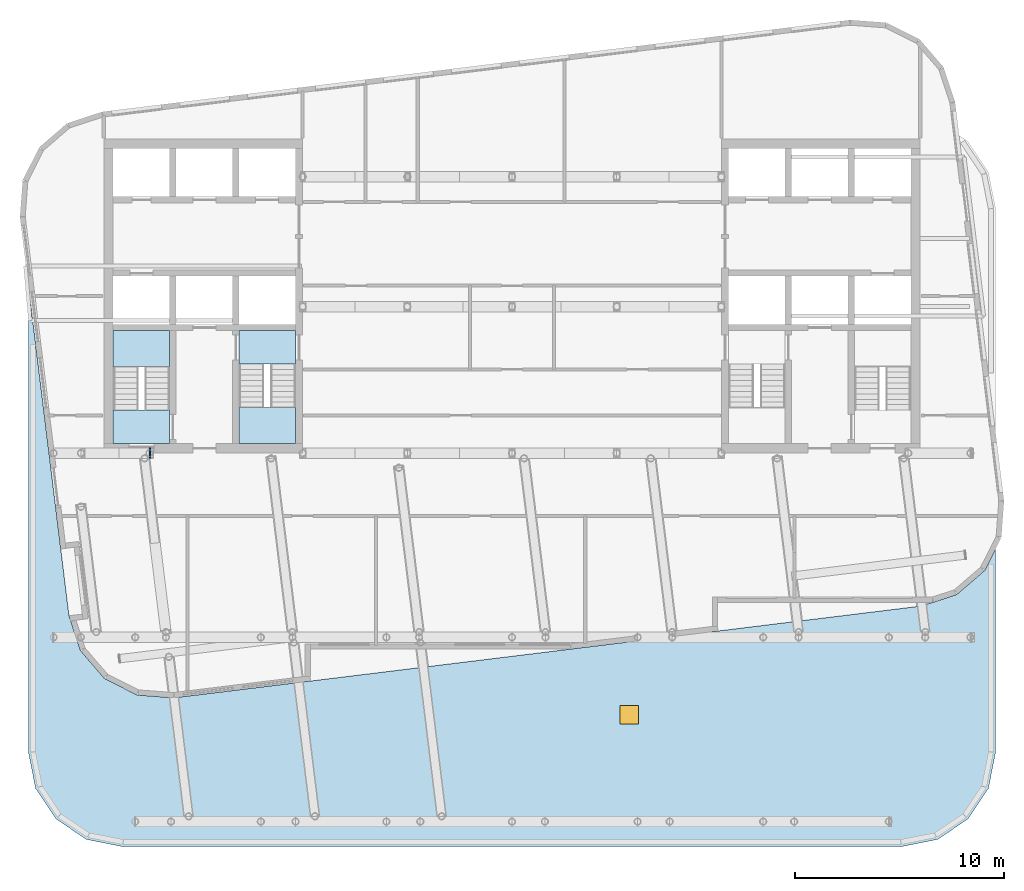
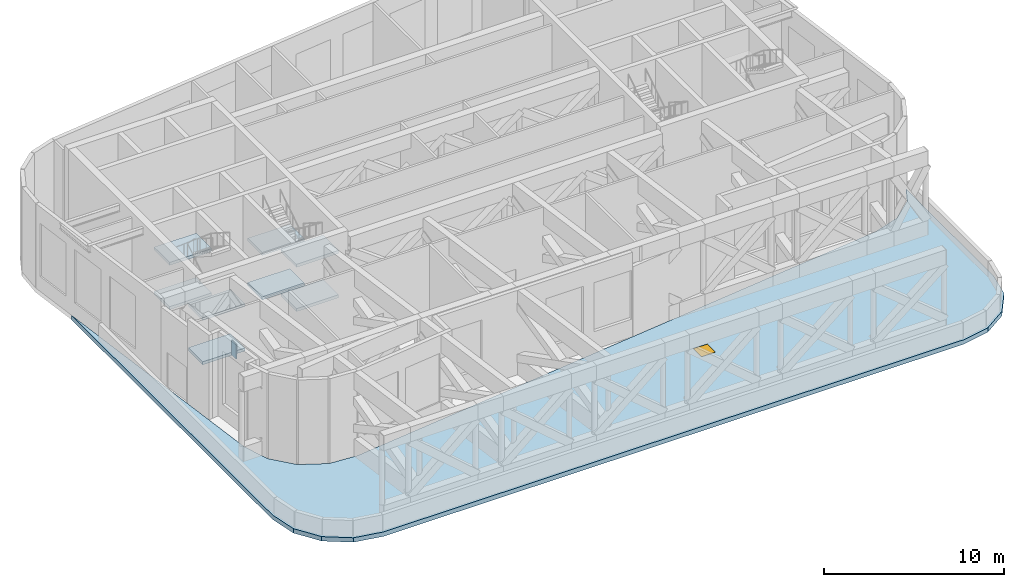
# One storey, part 6 of 16: 9 slabs, 1 plate, 1 window, 1 opening, 2 elements without a shape of their own.
"""IFC4 building model written with IfcOpenShell, lengths in metres."""

from ifc_helpers import new_model, si_unit, direction, frame, origin, origin_2d, place, context, subcontext, project, spatial, polyline, rectangle, outline, extrude, material, layer, layer_set, type_object, element, fill, aggregate, save


model = new_model("IFC4")

# Units and contexts
model_context = context("Model", 3, precision=1e-05, world=origin(), true_north=direction((0.0, 1.0)))
body_context = subcontext(model_context, "Body", "Model", "MODEL_VIEW")
ifc_project = project(units=[si_unit("LENGTHUNIT", "METRE"), si_unit("AREAUNIT", "SQUARE_METRE"), si_unit("VOLUMEUNIT", "CUBIC_METRE"), si_unit("PLANEANGLEUNIT", "RADIAN"), si_unit("MASSUNIT", "GRAM", prefix="KILO")], contexts=[model_context])

# Site, building, storey
site_placement = place(None, origin())
site = spatial("IfcSite", under=ifc_project, at=site_placement, CompositionType="ELEMENT")
building_placement = place(site_placement, origin())
building = spatial("IfcBuilding", under=site, at=building_placement, Name="Torana Hotel and Residences", CompositionType="ELEMENT")
storey_placement = place(building_placement, frame((0.0, 0.0, 308.60009765625)))
storey = spatial("IfcBuildingStorey", under=building, at=storey_placement, Name="L82", CompositionType="ELEMENT", Elevation=308.60009765625)

# Stair, slabs
ifc_material_1 = material(Name="Concrete C40/50 precast", Category="concrete")
stair_type_1 = type_object("IfcStairType", Name="STAIR ST1 HALF TURN 1200", PredefinedType="HALF_TURN_STAIR", material=ifc_material_1)
stair_1_placement = place(storey_placement, origin())
stair_1 = element("IfcStair", 1, at=stair_1_placement, inside=storey, type_object=stair_type_1, Name="Stair ST1 L82", PredefinedType="HALF_TURN_STAIR")
ifc_material_2 = material(Name="Concrete C40/50 precast", Category="concrete")
ifc_layer_1 = layer(ifc_material_2, 0.199951171875)
ifc_layer_set_1 = layer_set([ifc_layer_1], Name="STAIR LANDING 200")
slab_type_1 = type_object("IfcSlabType", Name="STAIR LANDING 200", PredefinedType="LANDING", material=ifc_layer_set_1)
slab_1_placement = place(storey_placement, frame((0.0, 0.0, 1.2998046875)))
slab_1 = element("IfcSlab", 2, at=slab_1_placement, type_object=slab_type_1, Name="ST1 landing 1", PredefinedType="LANDING", context=body_context, shape_type="SweptSolid", body=[
    extrude(outline(polyline([(-13.050048828125, -14.550048828125), (-10.35009765625, -14.550048828125), (-10.35009765625, -12.830078125), (-13.050048828125, -12.830078125), (-13.050048828125, -14.550048828125)])), origin(), (0.0, 0.0, 1.0), 0.2001953125),
])
slab_2_placement = place(storey_placement, frame((0.0, 0.0, -0.2001953125)))
slab_2 = element("IfcSlab", 3, at=slab_2_placement, type_object=slab_type_1, Name="ST1 landing 2", PredefinedType="LANDING", context=body_context, shape_type="SweptSolid", body=[
    extrude(outline(polyline([(-13.050048828125, -10.75), (-10.35009765625, -10.75), (-10.35009765625, -9.14990234375), (-13.050048828125, -9.14990234375), (-13.050048828125, -10.75)])), origin(), (0.0, 0.0, 1.0), 0.2001953125),
])
slab_3_placement = place(storey_placement, frame((0.0, 0.0, 4.2998046875)))
slab_3 = element("IfcSlab", 4, at=slab_3_placement, type_object=slab_type_1, Name="ST1 landing 3", PredefinedType="LANDING", context=body_context, shape_type="SweptSolid", body=[
    extrude(outline(polyline([(-13.050048828125, -14.550048828125), (-10.35009765625, -14.550048828125), (-10.35009765625, -12.830078125), (-13.050048828125, -12.830078125), (-13.050048828125, -14.550048828125)])), origin(), (0.0, 0.0, 1.0), 0.2001953125),
])
slab_4_placement = place(storey_placement, frame((0.0, 0.0, 2.7998046875)))
slab_4 = element("IfcSlab", 5, at=slab_4_placement, type_object=slab_type_1, Name="ST1 landing 4", PredefinedType="LANDING", context=body_context, shape_type="SweptSolid", body=[
    extrude(outline(polyline([(-13.050048828125, -10.75), (-10.35009765625, -10.75), (-10.35009765625, -9.14990234375), (-13.050048828125, -9.14990234375), (-13.050048828125, -10.75)])), origin(), (0.0, 0.0, 1.0), 0.2001953125),
])
aggregate(stair_1, [slab_1, slab_2, slab_3, slab_4])

ifc_material_3 = material(Name="Concrete C40/50 precast", Category="concrete")
stair_type_2 = type_object("IfcStairType", Name="STAIR ST2 HALF TURN 1200", PredefinedType="HALF_TURN_STAIR", material=ifc_material_3)
stair_2_placement = place(storey_placement, origin())
stair_2 = element("IfcStair", 6, at=stair_2_placement, inside=storey, type_object=stair_type_2, Name="Stair ST2 L82", PredefinedType="HALF_TURN_STAIR")
slab_5_placement = place(storey_placement, frame((0.0, 0.0, 1.2998046875)))
slab_5 = element("IfcSlab", 7, at=slab_5_placement, type_object=slab_type_1, Name="ST2 landing 1", PredefinedType="LANDING", context=body_context, shape_type="SweptSolid", body=[
    extrude(outline(polyline([(-19.050048828125, -10.8701171875), (-16.35009765625, -10.8701171875), (-16.35009765625, -9.14990234375), (-19.050048828125, -9.14990234375), (-19.050048828125, -10.8701171875)])), origin(), (0.0, 0.0, 1.0), 0.2001953125),
])
slab_6_placement = place(storey_placement, frame((0.0, 0.0, -0.2001953125)))
slab_6 = element("IfcSlab", 8, at=slab_6_placement, type_object=slab_type_1, Name="ST2 landing 2", PredefinedType="LANDING", context=body_context, shape_type="SweptSolid", body=[
    extrude(outline(polyline([(-19.050048828125, -14.550048828125), (-16.35009765625, -14.550048828125), (-16.35009765625, -12.949951171875), (-19.050048828125, -12.949951171875), (-19.050048828125, -14.550048828125)])), origin(), (0.0, 0.0, 1.0), 0.2001953125),
])
slab_7_placement = place(storey_placement, frame((0.0, 0.0, 4.2998046875)))
slab_7 = element("IfcSlab", 9, at=slab_7_placement, type_object=slab_type_1, Name="ST2 landing 3", PredefinedType="LANDING", context=body_context, shape_type="SweptSolid", body=[
    extrude(outline(polyline([(-19.050048828125, -10.8701171875), (-16.35009765625, -10.8701171875), (-16.35009765625, -9.14990234375), (-19.050048828125, -9.14990234375), (-19.050048828125, -10.8701171875)])), origin(), (0.0, 0.0, 1.0), 0.2001953125),
])
slab_8_placement = place(storey_placement, frame((0.0, 0.0, 2.7998046875)))
slab_8 = element("IfcSlab", 10, at=slab_8_placement, type_object=slab_type_1, Name="ST2 landing 4", PredefinedType="LANDING", context=body_context, shape_type="SweptSolid", body=[
    extrude(outline(polyline([(-19.050048828125, -14.550048828125), (-16.35009765625, -14.550048828125), (-16.35009765625, -12.949951171875), (-19.050048828125, -12.949951171875), (-19.050048828125, -14.550048828125)])), origin(), (0.0, 0.0, 1.0), 0.2001953125),
])
aggregate(stair_2, [slab_5, slab_6, slab_7, slab_8])

# Plate
ifc_material_4 = material(Name="Steel S355", Category="steel")
ifc_layer_2 = layer(ifc_material_4, 0.050048828125)
ifc_layer_set_2 = layer_set([ifc_layer_2], Name="STEEL END PLATE 50")
plate_type = type_object("IfcPlateType", Name="STEEL END PLATE 50", PredefinedType="SHEET", material=ifc_layer_set_2)
plate_placement = place(storey_placement, frame((-17.2919921875, -15.0, 0.0), z_axis=(0.0, 0.0, 1.0), x_axis=(1.0, 0.0, 0.0)))
element("IfcPlate", 11, at=plate_placement, inside=storey, type_object=plate_type, Name="End plate L82", PredefinedType="SHEET", context=body_context, shape_type="SweptSolid", body=[
    extrude(rectangle(XDim=0.050048828125, YDim=0.5, at=origin_2d()), origin(), (0.0, 0.0, 1.0), 1.0),
])

# Slab, opening, window
ifc_material_5 = material(Name="Concrete C40/50", Category="concrete")
ifc_layer_3 = layer(ifc_material_5, 0.300048828125)
ifc_layer_set_3 = layer_set([ifc_layer_3], Name="TR1 TERRACE SLAB 300")
slab_type_2 = type_object("IfcSlabType", Name="TR1 TERRACE SLAB 300", PredefinedType="USERDEFINED", material=ifc_layer_set_3)
slab_9_placement = place(storey_placement, frame((0.0, 0.0, -0.300048828125)))
slab_9 = element("IfcSlab", 12, at=slab_9_placement, inside=storey, type_object=slab_type_2, Name="Terrace L82 2", ObjectType="TERRACE", PredefinedType="USERDEFINED", context=body_context, shape_type="SweptSolid", body=[
    extrude(outline(polyline([(23.10009765625, -29.300048828125), (22.757568359375, -31.022216796875), (21.781982421875, -32.48193359375), (20.322021484375, -33.45751953125), (18.60009765625, -33.800048828125), (-18.60009765625, -33.800048828125), (-20.322021484375, -33.45751953125), (-21.781982421875, -32.48193359375), (-22.757568359375, -31.022216796875), (-23.10009765625, -29.300048828125), (-23.10009765625, -6.99755859375), (-21.163330078125, -22.7705078125), (-21.163330078125, -22.770751953125), (-21.1630859375, -22.770751953125), (-20.61328125, -24.438232421875), (-20.61328125, -24.4384765625), (-20.61328125, -24.4384765625), (-20.61328125, -24.438720703125), (-20.61328125, -24.438720703125), (-19.46728515625, -25.768798828125), (-19.467041015625, -25.768798828125), (-19.467041015625, -25.768798828125), (-19.466796875, -25.768798828125), (-19.466796875, -25.76904296875), (-17.89892578125, -26.559326171875), (-17.89892578125, -26.559326171875), (-17.898681640625, -26.559326171875), (-17.898681640625, -26.559326171875), (-17.898681640625, -26.559326171875), (-16.147705078125, -26.689453125), (-16.1474609375, -26.689453125), (-16.1474609375, -26.689453125), (19.584228515625, -22.30224609375), (19.58447265625, -22.30224609375), (19.58447265625, -22.30224609375), (21.251953125, -21.752197265625), (21.252197265625, -21.752197265625), (21.252197265625, -21.752197265625), (21.252197265625, -21.752197265625), (21.25244140625, -21.752197265625), (22.58251953125, -20.606201171875), (22.58251953125, -20.60595703125), (22.58251953125, -20.60595703125), (22.58251953125, -20.605712890625), (22.582763671875, -20.605712890625), (23.10009765625, -19.579345703125), (23.10009765625, -29.300048828125)])), origin(), (0.0, 0.0, 1.0), 0.300048828125),
])
opening_placement = place(slab_9_placement, frame((5.60009765625, -27.5, 0.0)))
opening = element("IfcOpeningElement", 13, at=opening_placement, cuts=slab_9, Name="Opening RH1", PredefinedType="OPENING", context=body_context, shape_type="SweptSolid", body=[
    extrude(rectangle(XDim=0.89990234375, YDim=0.89990234375, at=origin_2d()), origin(), (0.0, 0.0, 1.0), 0.300048828125),
])
ifc_material_6 = material(Name="Insulated aluminium roof hatch leaf", Category="aluminium")
window_type = type_object("IfcWindowType", Name="RH1 ROOF HATCH 900x900", PartitioningType="SINGLE_PANEL", PredefinedType="SKYLIGHT", material=ifc_material_6)
window_placement = place(opening_placement, frame((0.0, 0.0, 0.25)))
window = element("IfcWindow", 14, at=window_placement, inside=storey, type_object=window_type, Name="Roof hatch L82 1", OverallHeight=0.89990234375, OverallWidth=0.89990234375, PartitioningType="SINGLE_PANEL", PredefinedType="SKYLIGHT", context=body_context, shape_type="SweptSolid", body=[
    extrude(rectangle(XDim=0.89990234375, YDim=0.89990234375, at=origin_2d()), origin(), (0.0, 0.0, 1.0), 0.050048828125),
])
fill(opening, window)

save(model, "model.ifc")
